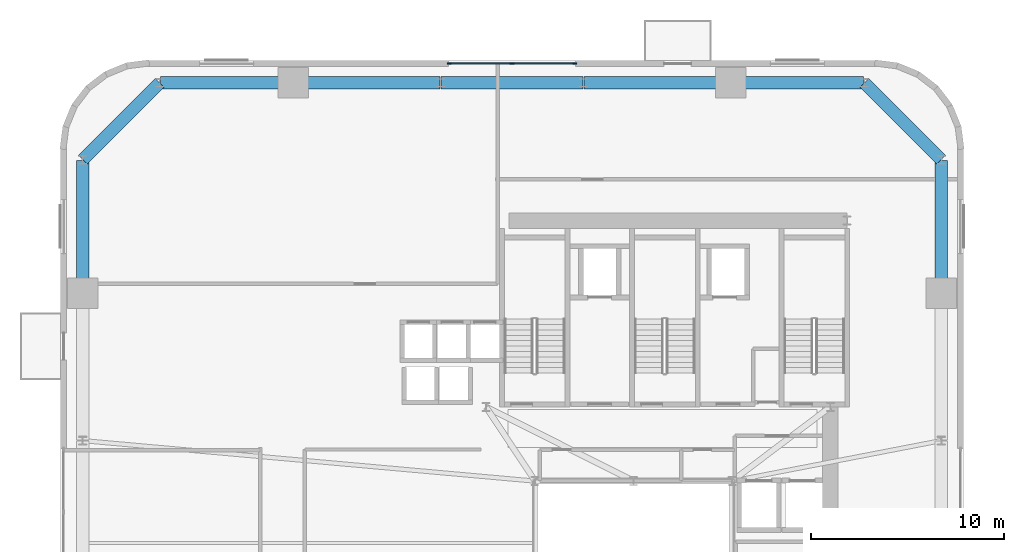
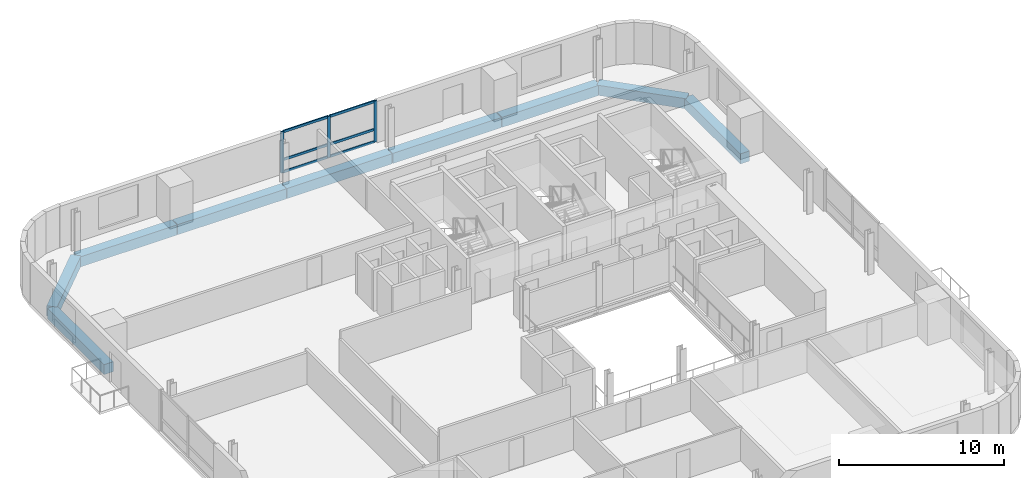
# One storey, part 4 of 14: 9 beams, 9 members, 1 element without a shape of its own.
"""IFC4 building model written with IfcOpenShell, lengths in metres."""

from ifc_helpers import new_model, si_unit, direction, frame, origin, origin_2d, place, context, subcontext, project, spatial, rectangle, extrude, source, transform, mapped, material, material_profile, profile_set, type_object, element, aggregate, save


model = new_model("IFC4")

# Units and contexts
model_context = context("Model", 3, precision=1e-05, world=origin(), true_north=direction((0.0, 1.0)))
body_context = subcontext(model_context, "Body", "Model", "MODEL_VIEW")
ifc_project = project(units=[si_unit("LENGTHUNIT", "METRE"), si_unit("AREAUNIT", "SQUARE_METRE"), si_unit("VOLUMEUNIT", "CUBIC_METRE"), si_unit("PLANEANGLEUNIT", "RADIAN"), si_unit("MASSUNIT", "GRAM", prefix="KILO")], contexts=[model_context])

# Site, building, storey
site_placement = place(None, origin())
site = spatial("IfcSite", under=ifc_project, at=site_placement, CompositionType="ELEMENT")
building_placement = place(site_placement, origin())
building = spatial("IfcBuilding", under=site, at=building_placement, Name="Vardaveli Station Tower", CompositionType="ELEMENT")
storey_placement = place(building_placement, frame((0.0, 0.0, 163.10009765625)))
storey = spatial("IfcBuildingStorey", under=building, at=storey_placement, Name="L42", CompositionType="ELEMENT", Elevation=163.10009765625)

# Beams
ifc_material_1 = material(Name="Precast concrete C45/55", Category="concrete")
ifc_material_profile_1 = material_profile(ifc_material_1, rectangle(XDim=0.64990234375, YDim=0.75, at=origin_2d()), Name="LPB 650x750")
ifc_profile_set_1 = profile_set([ifc_material_profile_1], Name="Precast concrete C45/55")
beam_type = type_object("IfcBeamType", Name="BM-LPB-750", PredefinedType="BEAM", material=ifc_profile_set_1)
shared_shape_1 = source(origin(), body_context, "Body", "SweptSolid", [
    extrude(rectangle(XDim=0.64990234375, YDim=0.75, at=origin_2d()), origin(), (0.0, 0.0, 1.0), 7.60009765625),
])
for number, where, z_axis, x_axis, name in (
    (1, (41.320068359375, 47.449951171875, -0.614990234375), (-1.0, 0.0, 0.0), (0.0, -1.0, 0.0), "RBM-L42-13"),
    (2, (26.280029296875, 47.449951171875, -0.614990234375), (-1.0, 0.0, 0.0), (0.0, -1.0, 0.0), "RBM-L42-15"),
):
    element("IfcBeam", number, at=place(storey_placement, frame(where, z_axis=z_axis, x_axis=x_axis)), inside=storey, type_object=beam_type, Name=name, PredefinedType="BEAM", context=body_context, shape_type="MappedRepresentation", body=[
        mapped(shared_shape_1, transform((0.0, 0.0, 0.0), scale=1.0)),
    ])
shared_shape_2 = source(origin(), body_context, "Body", "SweptSolid", [
    extrude(rectangle(XDim=0.64990234375, YDim=0.75, at=origin_2d()), origin(), (0.0, 0.0, 1.0), 7.35986328125),
])
beam_placement = place(storey_placement, frame((33.679931640625, 47.449951171875, -0.614990234375), z_axis=(-1.0, 0.0, 0.0), x_axis=(0.0, -1.0, 0.0)))
element("IfcBeam", 3, at=beam_placement, inside=storey, type_object=beam_type, Name="RBM-L42-14", PredefinedType="BEAM", context=body_context, shape_type="MappedRepresentation", body=[
    mapped(shared_shape_2, transform((0.0, 0.0, 0.0), scale=1.0)),
])
shared_shape_3 = source(origin(), body_context, "Body", "SweptSolid", [
    extrude(rectangle(XDim=0.64990234375, YDim=0.75, at=origin_2d()), origin(), (0.0, 0.0, 1.0), 6.869873046875),
])
for number, where, z_axis, x_axis, name in (
    (4, (52.25, 36.56005859375, -0.614990234375), (0.0, 1.0, 0.0), (-1.0, 0.0, 0.0), "RBM-L42-10"),
    (5, (48.22998046875, 47.449951171875, -0.614990234375), (-1.0, 0.0, 0.0), (0.0, -1.0, 0.0), "RBM-L42-12"),
    (6, (18.639892578125, 47.449951171875, -0.614990234375), (-1.0, 0.0, 0.0), (0.0, -1.0, 0.0), "RBM-L42-16"),
    (7, (7.75, 43.429931640625, -0.614990234375), (0.0, -1.0, 0.0), (1.0, 0.0, 0.0), "RBM-L42-18"),
):
    element("IfcBeam", number, at=place(storey_placement, frame(where, z_axis=z_axis, x_axis=x_axis)), inside=storey, type_object=beam_type, Name=name, PredefinedType="BEAM", context=body_context, shape_type="MappedRepresentation", body=[
        mapped(shared_shape_3, transform((0.0, 0.0, 0.0), scale=1.0)),
    ])
shared_shape_4 = source(origin(), body_context, "Body", "SweptSolid", [
    extrude(rectangle(XDim=0.64990234375, YDim=0.75, at=origin_2d()), origin(), (0.0, 0.0, 1.0), 5.61669921875),
])
for number, where, z_axis, x_axis, name in (
    (8, (52.23583984375, 43.464111328125, -0.614990234375), (-0.707106781187, 0.707106781187, 0.0), (-0.707106781187, -0.707106781187, 0.0), "RBM-L42-11"),
    (9, (11.73583984375, 47.435791015625, -0.614990234375), (-0.707106781187, -0.707106781187, 0.0), (0.707106781187, -0.707106781187, 0.0), "RBM-L42-17"),
):
    element("IfcBeam", number, at=place(storey_placement, frame(where, z_axis=z_axis, x_axis=x_axis)), inside=storey, type_object=beam_type, Name=name, PredefinedType="BEAM", context=body_context, shape_type="MappedRepresentation", body=[
        mapped(shared_shape_4, transform((0.0, 0.0, 0.0), scale=1.0)),
    ])

# Curtain wall, members
ifc_material_2 = material(Name="Travertine stone and solar-control glass", Category="masonry")
curtain_wall_type = type_object("IfcCurtainWallType", Name="CW-SYS-2", PredefinedType="NOTDEFINED", material=ifc_material_2)
curtain_wall_placement = place(storey_placement, origin())
curtain_wall = element("IfcCurtainWall", 10, at=curtain_wall_placement, inside=storey, type_object=curtain_wall_type, Name="CW-L42-N", PredefinedType="NOTDEFINED")
ifc_material_3 = material(Name="Anodised aluminium alloy 6063-T6", Category="aluminium")
ifc_material_profile_2 = material_profile(ifc_material_3, rectangle(XDim=0.0849609375, YDim=0.179931640625, at=origin_2d()), Name="CWT 85x180")
ifc_profile_set_2 = profile_set([ifc_material_profile_2], Name="Anodised aluminium alloy 6063-T6")
member_type_1 = type_object("IfcMemberType", Name="CW-SYS-2-TRAN", PredefinedType="NOTDEFINED", material=ifc_profile_set_2)
shared_shape_5 = source(origin(), body_context, "Body", "SweptSolid", [
    extrude(rectangle(XDim=0.0849609375, YDim=0.179931640625, at=origin_2d()), origin(), (0.0, 0.0, 1.0), 3.172607421875),
])
member_1_placement = place(storey_placement, frame((33.215087890625, 48.43994140625, 0.04248046875), z_axis=(-1.0, 0.0, 0.0), x_axis=(0.0, -1.0, 0.0)))
member_1 = element("IfcMember", 11, at=member_1_placement, type_object=member_type_1, Name="CW-2 transom 1.1", ObjectType="TRANSOM", PredefinedType="USERDEFINED", context=body_context, shape_type="MappedRepresentation", body=[
    mapped(shared_shape_5, transform((0.0, 0.0, 0.0), scale=1.0)),
])
member_2_placement = place(storey_placement, frame((33.215087890625, 48.43994140625, 0.949951171875), z_axis=(-1.0, 0.0, 0.0), x_axis=(0.0, -1.0, 0.0)))
member_2 = element("IfcMember", 12, at=member_2_placement, type_object=member_type_1, Name="CW-2 transom 1.2", ObjectType="TRANSOM", PredefinedType="USERDEFINED", context=body_context, shape_type="MappedRepresentation", body=[
    mapped(shared_shape_5, transform((0.0, 0.0, 0.0), scale=1.0)),
])
member_3_placement = place(storey_placement, frame((33.215087890625, 48.43994140625, 3.00732421875), z_axis=(-1.0, 0.0, 0.0), x_axis=(0.0, -1.0, 0.0)))
member_3 = element("IfcMember", 13, at=member_3_placement, type_object=member_type_1, Name="CW-2 transom 1.3", ObjectType="TRANSOM", PredefinedType="USERDEFINED", context=body_context, shape_type="MappedRepresentation", body=[
    mapped(shared_shape_5, transform((0.0, 0.0, 0.0), scale=1.0)),
])
member_4_placement = place(storey_placement, frame((29.95751953125, 48.43994140625, 0.04248046875), z_axis=(-1.0, 0.0, 0.0), x_axis=(0.0, -1.0, 0.0)))
member_4 = element("IfcMember", 14, at=member_4_placement, type_object=member_type_1, Name="CW-2 transom 2.1", ObjectType="TRANSOM", PredefinedType="USERDEFINED", context=body_context, shape_type="MappedRepresentation", body=[
    mapped(shared_shape_5, transform((0.0, 0.0, 0.0), scale=1.0)),
])
member_5_placement = place(storey_placement, frame((29.95751953125, 48.43994140625, 0.949951171875), z_axis=(-1.0, 0.0, 0.0), x_axis=(0.0, -1.0, 0.0)))
member_5 = element("IfcMember", 15, at=member_5_placement, type_object=member_type_1, Name="CW-2 transom 2.2", ObjectType="TRANSOM", PredefinedType="USERDEFINED", context=body_context, shape_type="MappedRepresentation", body=[
    mapped(shared_shape_5, transform((0.0, 0.0, 0.0), scale=1.0)),
])
member_6_placement = place(storey_placement, frame((29.95751953125, 48.43994140625, 3.00732421875), z_axis=(-1.0, 0.0, 0.0), x_axis=(0.0, -1.0, 0.0)))
member_6 = element("IfcMember", 16, at=member_6_placement, type_object=member_type_1, Name="CW-2 transom 2.3", ObjectType="TRANSOM", PredefinedType="USERDEFINED", context=body_context, shape_type="MappedRepresentation", body=[
    mapped(shared_shape_5, transform((0.0, 0.0, 0.0), scale=1.0)),
])
ifc_material_profile_3 = material_profile(ifc_material_3, rectangle(XDim=0.0849609375, YDim=0.219970703125, at=origin_2d()), Name="CWM 85x220")
ifc_profile_set_3 = profile_set([ifc_material_profile_3], Name="Anodised aluminium alloy 6063-T6")
member_type_2 = type_object("IfcMemberType", Name="CW-SYS-2-MULL", PredefinedType="MULLION", material=ifc_profile_set_3)
shared_shape_6 = source(origin(), body_context, "Body", "SweptSolid", [
    extrude(rectangle(XDim=0.0849609375, YDim=0.219970703125, at=origin_2d()), origin(), (0.0, 0.0, 1.0), 3.0498046875),
])
member_7_placement = place(storey_placement, frame((33.257568359375, 48.43994140625, 0.0), z_axis=(0.0, 0.0, 1.0), x_axis=(0.0, -1.0, 0.0)))
member_7 = element("IfcMember", 17, at=member_7_placement, type_object=member_type_2, Name="CW-2 mullion 1", PredefinedType="MULLION", context=body_context, shape_type="MappedRepresentation", body=[
    mapped(shared_shape_6, transform((0.0, 0.0, 0.0), scale=1.0)),
])
member_8_placement = place(storey_placement, frame((30.0, 48.43994140625, 0.0), z_axis=(0.0, 0.0, 1.0), x_axis=(0.0, -1.0, 0.0)))
member_8 = element("IfcMember", 18, at=member_8_placement, type_object=member_type_2, Name="CW-2 mullion 2", PredefinedType="MULLION", context=body_context, shape_type="MappedRepresentation", body=[
    mapped(shared_shape_6, transform((0.0, 0.0, 0.0), scale=1.0)),
])
member_9_placement = place(storey_placement, frame((26.742431640625, 48.43994140625, 0.0), z_axis=(0.0, 0.0, 1.0), x_axis=(0.0, -1.0, 0.0)))
member_9 = element("IfcMember", 19, at=member_9_placement, type_object=member_type_2, Name="CW-2 mullion 3", PredefinedType="MULLION", context=body_context, shape_type="MappedRepresentation", body=[
    mapped(shared_shape_6, transform((0.0, 0.0, 0.0), scale=1.0)),
])
aggregate(curtain_wall, [member_7, member_8, member_9, member_1, member_2, member_3, member_4, member_5, member_6])

save(model, "model.ifc")
